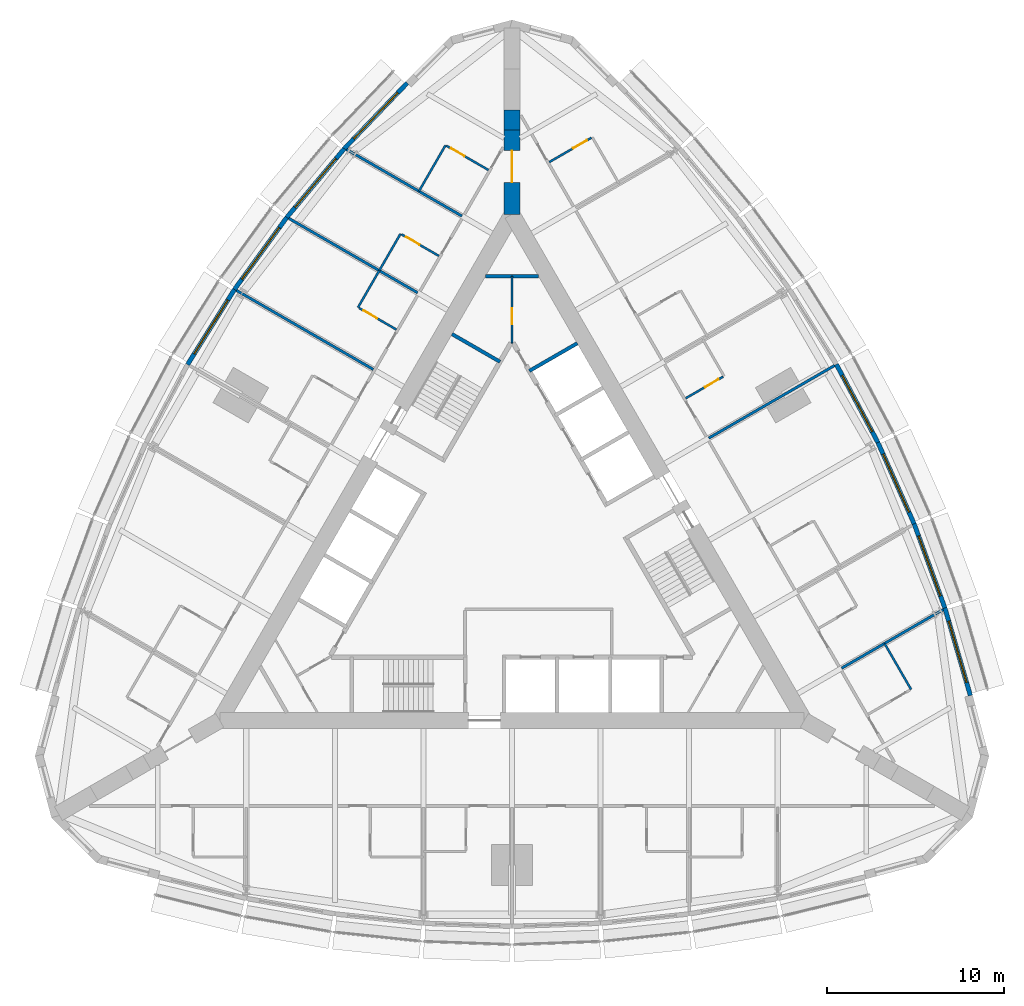
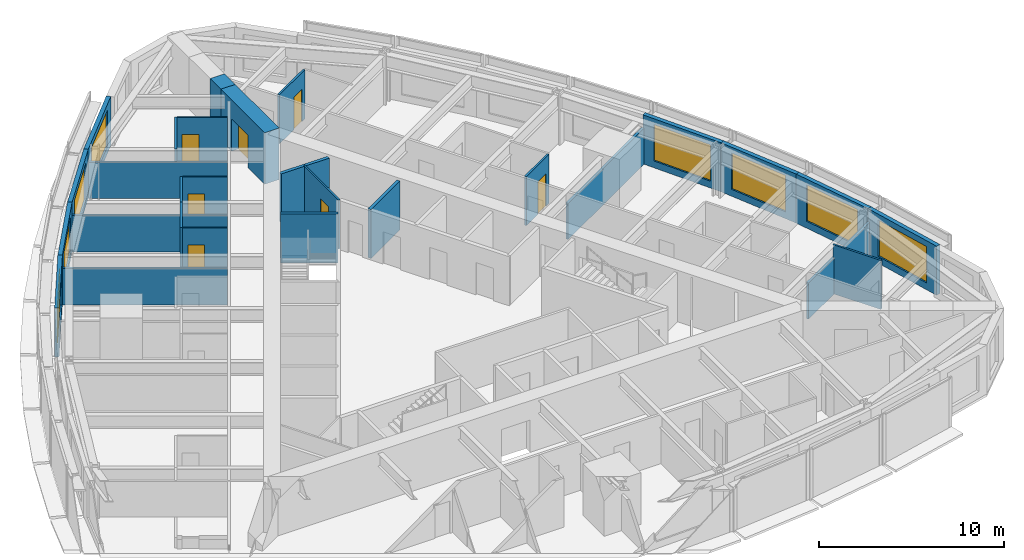
# One storey, part 12 of 14: 28 walls, 8 windows, 7 doors, 15 openings.
"""IFC4 building model written with IfcOpenShell, lengths in metres."""

from ifc_helpers import new_model, si_unit, direction, frame, frame_2d, origin, place, context, subcontext, project, spatial, rectangle, extrude, material, layer, layer_set, type_object, element, fill, save


model = new_model("IFC4")

# Units and contexts
model_context = context("Model", 3, precision=1e-05, world=origin(), true_north=direction((0.0, 1.0)))
body_context = subcontext(model_context, "Body", "Model", "MODEL_VIEW")
ifc_project = project(units=[si_unit("LENGTHUNIT", "METRE"), si_unit("AREAUNIT", "SQUARE_METRE"), si_unit("VOLUMEUNIT", "CUBIC_METRE"), si_unit("PLANEANGLEUNIT", "RADIAN"), si_unit("MASSUNIT", "GRAM", prefix="KILO")], contexts=[model_context])

# Site, building, storey
site_placement = place(None, origin())
site = spatial("IfcSite", under=ifc_project, at=site_placement, CompositionType="ELEMENT")
building_placement = place(site_placement, origin())
building = spatial("IfcBuilding", under=site, at=building_placement, Name="Trikona Tower", CompositionType="ELEMENT")
storey_placement = place(building_placement, frame((0.0, 0.0, 124.89990234375)))
storey = spatial("IfcBuildingStorey", under=building, at=storey_placement, Name="L32", CompositionType="ELEMENT", Elevation=124.89990234375)

# Wall
ifc_material_1 = material(Name="Metal stud and cement board", Category="gypsum")
ifc_layer_1 = layer(ifc_material_1, 0.1201171875)
ifc_layer_set_1 = layer_set([ifc_layer_1], Name="Bathroom wall 120")
wall_type_1 = type_object("IfcWallType", Name="Bathroom wall 120", PredefinedType="PLUMBINGWALL", material=ifc_layer_set_1)
wall_1_placement = place(storey_placement, frame((22.53271484375, -7.775390625, 0.0), z_axis=(0.0, 0.0, 1.0), x_axis=(-0.499990139034, 0.866031096941, 0.0)))
element("IfcWall", 1, at=wall_1_placement, inside=storey, type_object=wall_type_1, Name="Bathroom wall 3206", PredefinedType="PLUMBINGWALL", context=body_context, shape_type="SweptSolid", body=[
    extrude(rectangle(XDim=3.0, YDim=0.1201171875, at=frame_2d((1.5, 0.0))), origin(), (0.0, 0.0, 1.0), 3.235107421875),
])

# Wall, opening, door
wall_2_placement = place(storey_placement, frame((9.807861328125, 8.664794921875, 0.0), z_axis=(0.0, 0.0, 1.0), x_axis=(0.866023955769, 0.500002508028, 0.0)))
wall_2 = element("IfcWall", 2, at=wall_2_placement, inside=storey, type_object=wall_type_1, Name="Bathroom wall 3209", PredefinedType="PLUMBINGWALL", context=body_context, shape_type="SweptSolid", body=[
    extrude(rectangle(XDim=2.43994140625, YDim=0.1201171875, at=frame_2d((1.219970703125, 0.0))), origin(), (0.0, 0.0, 1.0), 3.235107421875),
])
opening_1_placement = place(wall_2_placement, frame((1.25, 0.0, 0.0)))
opening_1 = element("IfcOpeningElement", 3, at=opening_1_placement, cuts=wall_2, Name="Opening D2", PredefinedType="OPENING", context=body_context, shape_type="SweptSolid", body=[
    extrude(rectangle(XDim=0.89990234375, YDim=2.1298828125, at=frame_2d((0.449951171875, 1.06494140625))), frame((0.0, 0.070068359375, 0.0), z_axis=(0.0, -1.0, 0.0), x_axis=(1.0, 0.0, 0.0)), (0.0, 0.0, 1.0), 0.14013671875),
])
ifc_material_2 = material(Name="Steel door frame with solid-core timber leaf", Category="steel")
door_type_1 = type_object("IfcDoorType", Name="Bathroom door 900x2130", OperationType="SLIDING_TO_LEFT", PredefinedType="DOOR", material=ifc_material_2)
door_1_placement = place(opening_1_placement, origin())
door_1 = element("IfcDoor", 4, at=door_1_placement, inside=storey, type_object=door_type_1, Name="Bathroom door 3209", OperationType="SLIDING_TO_LEFT", OverallHeight=2.1298828125, OverallWidth=0.89990234375, PredefinedType="DOOR", context=body_context, shape_type="SweptSolid", body=[
    extrude(rectangle(XDim=0.89990234375, YDim=2.1298828125, at=frame_2d((0.449951171875, 1.06494140625))), frame((0.0, 0.02490234375, 0.0), z_axis=(0.0, -1.0, 0.0), x_axis=(1.0, 0.0, 0.0)), (0.0, 0.0, 1.0), 0.050048828125),
])
fill(opening_1, door_1)

wall_3_placement = place(storey_placement, frame((2.10791015625, 22.001708984375, 0.0), z_axis=(0.0, 0.0, 1.0), x_axis=(0.866035715982, 0.499982138324, 0.0)))
wall_3 = element("IfcWall", 5, at=wall_3_placement, inside=storey, type_object=wall_type_1, Name="Bathroom wall 3211", PredefinedType="PLUMBINGWALL", context=body_context, shape_type="SweptSolid", body=[
    extrude(rectangle(XDim=2.73974609375, YDim=0.1201171875, at=frame_2d((1.369873046875, 0.0))), origin(), (0.0, 0.0, 1.0), 3.235107421875),
])
opening_2_placement = place(wall_3_placement, frame((1.550048828125, 0.0, 0.0)))
opening_2 = element("IfcOpeningElement", 6, at=opening_2_placement, cuts=wall_3, Name="Opening D2", PredefinedType="OPENING", context=body_context, shape_type="SweptSolid", body=[
    extrude(rectangle(XDim=0.89990234375, YDim=2.1298828125, at=frame_2d((0.449951171875, 1.06494140625))), frame((0.0, 0.070068359375, 0.0), z_axis=(0.0, -1.0, 0.0), x_axis=(1.0, 0.0, 0.0)), (0.0, 0.0, 1.0), 0.14013671875),
])
door_2_placement = place(opening_2_placement, origin())
door_2 = element("IfcDoor", 7, at=door_2_placement, inside=storey, type_object=door_type_1, Name="Bathroom door 3211", OperationType="SLIDING_TO_LEFT", OverallHeight=2.1298828125, OverallWidth=0.89990234375, PredefinedType="DOOR", context=body_context, shape_type="SweptSolid", body=[
    extrude(rectangle(XDim=0.89990234375, YDim=2.1298828125, at=frame_2d((0.449951171875, 1.06494140625))), frame((0.0, 0.02490234375, 0.0), z_axis=(0.0, -1.0, 0.0), x_axis=(1.0, 0.0, 0.0)), (0.0, 0.0, 1.0), 0.050048828125),
])
fill(opening_2, door_2)

# Wall
wall_4_placement = place(storey_placement, frame((-3.75341796875, 22.95166015625, 0.0), z_axis=(0.0, 0.0, 1.0), x_axis=(-0.499990139034, -0.866031096941, 0.0)))
element("IfcWall", 8, at=wall_4_placement, inside=storey, type_object=wall_type_1, Name="Bathroom wall 3212", PredefinedType="PLUMBINGWALL", context=body_context, shape_type="SweptSolid", body=[
    extrude(rectangle(XDim=3.0, YDim=0.1201171875, at=frame_2d((1.5, 0.0))), origin(), (0.0, 0.0, 1.0), 3.235107421875),
])

# Wall, opening, door
wall_5_placement = place(storey_placement, frame((-1.32861328125, 21.551513671875, 0.0), z_axis=(0.0, 0.0, 1.0), x_axis=(-0.865997131366, 0.500048966069, 0.0)))
wall_5 = element("IfcWall", 9, at=wall_5_placement, inside=storey, type_object=wall_type_1, Name="Bathroom wall 3212", PredefinedType="PLUMBINGWALL", context=body_context, shape_type="SweptSolid", body=[
    extrude(rectangle(XDim=2.739990234375, YDim=0.1201171875, at=frame_2d((1.3701171875, 0.0))), origin(), (0.0, 0.0, 1.0), 3.235107421875),
])
opening_3_placement = place(wall_5_placement, frame((1.550048828125, 0.0, 0.0)))
opening_3 = element("IfcOpeningElement", 10, at=opening_3_placement, cuts=wall_5, Name="Opening D2", PredefinedType="OPENING", context=body_context, shape_type="SweptSolid", body=[
    extrude(rectangle(XDim=0.89990234375, YDim=2.1298828125, at=frame_2d((0.449951171875, 1.06494140625))), frame((0.0, 0.070068359375, 0.0), z_axis=(0.0, -1.0, 0.0), x_axis=(1.0, 0.0, 0.0)), (0.0, 0.0, 1.0), 0.14013671875),
])
door_3_placement = place(opening_3_placement, origin())
door_3 = element("IfcDoor", 11, at=door_3_placement, inside=storey, type_object=door_type_1, Name="Bathroom door 3212", OperationType="SLIDING_TO_LEFT", OverallHeight=2.1298828125, OverallWidth=0.89990234375, PredefinedType="DOOR", context=body_context, shape_type="SweptSolid", body=[
    extrude(rectangle(XDim=0.89990234375, YDim=2.1298828125, at=frame_2d((0.449951171875, 1.06494140625))), frame((0.0, 0.02490234375, 0.0), z_axis=(0.0, -1.0, 0.0), x_axis=(1.0, 0.0, 0.0)), (0.0, 0.0, 1.0), 0.050048828125),
])
fill(opening_3, door_3)

# Wall
wall_6_placement = place(storey_placement, frame((-6.29345703125, 17.951904296875, 0.0), z_axis=(0.0, 0.0, 1.0), x_axis=(-0.499957262057, -0.866050077142, 0.0)))
element("IfcWall", 12, at=wall_6_placement, inside=storey, type_object=wall_type_1, Name="Bathroom wall 3213", PredefinedType="PLUMBINGWALL", context=body_context, shape_type="SweptSolid", body=[
    extrude(rectangle(XDim=2.400146484375, YDim=0.1201171875, at=frame_2d((1.2001953125, 0.0))), origin(), (0.0, 0.0, 1.0), 3.235107421875),
])

# Wall, opening, door
wall_7_placement = place(storey_placement, frame((-4.12841796875, 16.701904296875, 0.0), z_axis=(0.0, 0.0, 1.0), x_axis=(-0.866048967903, 0.499959183527, 0.0)))
wall_7 = element("IfcWall", 13, at=wall_7_placement, inside=storey, type_object=wall_type_1, Name="Bathroom wall 3213", PredefinedType="PLUMBINGWALL", context=body_context, shape_type="SweptSolid", body=[
    extrude(rectangle(XDim=2.440185546875, YDim=0.1201171875, at=frame_2d((1.22021484375, 0.0))), origin(), (0.0, 0.0, 1.0), 3.235107421875),
])
opening_4_placement = place(wall_7_placement, frame((1.25, 0.0, 0.0)))
opening_4 = element("IfcOpeningElement", 14, at=opening_4_placement, cuts=wall_7, Name="Opening D2", PredefinedType="OPENING", context=body_context, shape_type="SweptSolid", body=[
    extrude(rectangle(XDim=0.89990234375, YDim=2.1298828125, at=frame_2d((0.449951171875, 1.06494140625))), frame((0.0, 0.070068359375, 0.0), z_axis=(0.0, -1.0, 0.0), x_axis=(1.0, 0.0, 0.0)), (0.0, 0.0, 1.0), 0.14013671875),
])
door_4_placement = place(opening_4_placement, origin())
door_4 = element("IfcDoor", 15, at=door_4_placement, inside=storey, type_object=door_type_1, Name="Bathroom door 3213", OperationType="SLIDING_TO_LEFT", OverallHeight=2.1298828125, OverallWidth=0.89990234375, PredefinedType="DOOR", context=body_context, shape_type="SweptSolid", body=[
    extrude(rectangle(XDim=0.89990234375, YDim=2.1298828125, at=frame_2d((0.449951171875, 1.06494140625))), frame((0.0, 0.02490234375, 0.0), z_axis=(0.0, -1.0, 0.0), x_axis=(1.0, 0.0, 0.0)), (0.0, 0.0, 1.0), 0.050048828125),
])
fill(opening_4, door_4)

# Wall
wall_8_placement = place(storey_placement, frame((-7.493408203125, 15.873291015625, 0.0), z_axis=(0.0, 0.0, 1.0), x_axis=(-0.500077600433, -0.865980596518, 0.0)))
element("IfcWall", 16, at=wall_8_placement, inside=storey, type_object=wall_type_1, Name="Bathroom wall 3214", PredefinedType="PLUMBINGWALL", context=body_context, shape_type="SweptSolid", body=[
    extrude(rectangle(XDim=2.39990234375, YDim=0.1201171875, at=frame_2d((1.199951171875, 0.0))), origin(), (0.0, 0.0, 1.0), 3.235107421875),
])

# Wall, opening, door
wall_9_placement = place(storey_placement, frame((-6.528564453125, 12.544921875, 0.0), z_axis=(0.0, 0.0, 1.0), x_axis=(-0.866023955769, 0.500002508028, 0.0)))
wall_9 = element("IfcWall", 17, at=wall_9_placement, inside=storey, type_object=wall_type_1, Name="Bathroom wall 3214", PredefinedType="PLUMBINGWALL", context=body_context, shape_type="SweptSolid", body=[
    extrude(rectangle(XDim=2.43994140625, YDim=0.1201171875, at=frame_2d((1.219970703125, 0.0))), origin(), (0.0, 0.0, 1.0), 3.235107421875),
])
opening_5_placement = place(wall_9_placement, frame((1.25, 0.0, 0.0)))
opening_5 = element("IfcOpeningElement", 18, at=opening_5_placement, cuts=wall_9, Name="Opening D2", PredefinedType="OPENING", context=body_context, shape_type="SweptSolid", body=[
    extrude(rectangle(XDim=0.89990234375, YDim=2.1298828125, at=frame_2d((0.449951171875, 1.06494140625))), frame((0.0, 0.070068359375, 0.0), z_axis=(0.0, -1.0, 0.0), x_axis=(1.0, 0.0, 0.0)), (0.0, 0.0, 1.0), 0.14013671875),
])
door_5_placement = place(opening_5_placement, origin())
door_5 = element("IfcDoor", 19, at=door_5_placement, inside=storey, type_object=door_type_1, Name="Bathroom door 3214", OperationType="SLIDING_TO_LEFT", OverallHeight=2.1298828125, OverallWidth=0.89990234375, PredefinedType="DOOR", context=body_context, shape_type="SweptSolid", body=[
    extrude(rectangle(XDim=0.89990234375, YDim=2.1298828125, at=frame_2d((0.449951171875, 1.06494140625))), frame((0.0, 0.02490234375, 0.0), z_axis=(0.0, -1.0, 0.0), x_axis=(1.0, 0.0, 0.0)), (0.0, 0.0, 1.0), 0.050048828125),
])
fill(opening_5, door_5)

ifc_material_3 = material(Name="Concrete f'c 10000 psi", Category="concrete")
ifc_layer_2 = layer(ifc_material_3, 0.89990234375)
ifc_layer_set_2 = layer_set([ifc_layer_2], Name="Buttress wall 900")
wall_type_2 = type_object("IfcWallType", Name="Buttress wall 900", PredefinedType="SHEAR", material=ifc_layer_set_2)
wall_10_placement = place(storey_placement, frame((0.0, 19.052490234375, 0.0), z_axis=(0.0, 0.0, 1.0), x_axis=(0.0, 1.0, 0.0)))
wall_10 = element("IfcWall", 20, at=wall_10_placement, inside=storey, type_object=wall_type_2, Name="Buttress wall 2", PredefinedType="SHEAR", context=body_context, shape_type="SweptSolid", body=[
    extrude(rectangle(XDim=4.74609375, YDim=0.89990234375, at=frame_2d((2.373046875, 0.0))), origin(), (0.0, 0.0, 1.0), 3.400146484375),
])
opening_6_placement = place(wall_10_placement, frame((1.800048828125, 0.0, 0.0)))
opening_6 = element("IfcOpeningElement", 21, at=opening_6_placement, cuts=wall_10, Name="Opening D10", PredefinedType="OPENING", context=body_context, shape_type="SweptSolid", body=[
    extrude(rectangle(XDim=1.800048828125, YDim=2.1298828125, at=frame_2d((0.89990234375, 1.06494140625))), frame((0.0, 0.4599609375, 0.0), z_axis=(0.0, -1.0, 0.0), x_axis=(1.0, 0.0, 0.0)), (0.0, 0.0, 1.0), 0.919921875),
])
ifc_material_4 = material(Name="Hollow metal door and frame", Category="steel")
door_type_2 = type_object("IfcDoorType", Name="Cross-corridor door pair 1800x2130", OperationType="DOUBLE_DOOR_DOUBLE_SWING", PredefinedType="DOOR", material=ifc_material_4)
door_6_placement = place(opening_6_placement, origin())
door_6 = element("IfcDoor", 22, at=door_6_placement, inside=storey, type_object=door_type_2, Name="Cross-corridor door 2", OperationType="DOUBLE_DOOR_DOUBLE_SWING", OverallHeight=2.1298828125, OverallWidth=1.800048828125, PredefinedType="DOOR", context=body_context, shape_type="SweptSolid", body=[
    extrude(rectangle(XDim=1.800048828125, YDim=2.1298828125, at=frame_2d((0.89990234375, 1.06494140625))), frame((0.0, 0.02490234375, 0.0), z_axis=(0.0, -1.0, 0.0), x_axis=(1.0, 0.0, 0.0)), (0.0, 0.0, 1.0), 0.050048828125),
])
fill(opening_6, door_6)

# Wall
wall_11_placement = place(storey_placement, frame((0.0, 23.798583984375, 0.0), z_axis=(0.0, 0.0, 1.0), x_axis=(0.0, 1.0, 0.0)))
element("IfcWall", 23, at=wall_11_placement, inside=storey, type_object=wall_type_2, Name="Buttress wall 2 part 2", PredefinedType="SHEAR", context=body_context, shape_type="SweptSolid", body=[
    extrude(rectangle(XDim=1.15478515625, YDim=0.89990234375, at=frame_2d((0.577392578125, 0.0))), origin(), (0.0, 0.0, 1.0), 3.400146484375),
])

# Wall, opening, window
ifc_material_5 = material(Name="Insulated precast concrete spandrel panel", Category="concrete")
ifc_layer_3 = layer(ifc_material_5, 0.25)
ifc_layer_set_3 = layer_set([ifc_layer_3], Name="Inner skin wall 250")
wall_type_3 = type_object("IfcWallType", Name="Inner skin wall 250", PredefinedType="STANDARD", material=ifc_layer_set_3)
wall_12_placement = place(storey_placement, frame((25.8798828125, -8.117919921875, 0.0), z_axis=(0.0, 0.0, 1.0), x_axis=(-0.279528287117, 0.960137457191, 0.0)))
wall_12 = element("IfcWall", 24, at=wall_12_placement, inside=storey, type_object=wall_type_3, Name="External wall L32-12", PredefinedType="STANDARD", context=body_context, shape_type="SweptSolid", body=[
    extrude(rectangle(XDim=5.14794921875, YDim=0.25, at=frame_2d((2.573974609375, 0.0))), origin(), (0.0, 0.0, 1.0), 3.235107421875),
])
opening_7_placement = place(wall_12_placement, frame((0.77392578125, 0.0, 0.449951171875)))
opening_7 = element("IfcOpeningElement", 25, at=opening_7_placement, cuts=wall_12, Name="Opening W3624", PredefinedType="OPENING", context=body_context, shape_type="SweptSolid", body=[
    extrude(rectangle(XDim=3.60009765625, YDim=2.39990234375, at=frame_2d((1.800048828125, 1.199951171875))), frame((0.0, 0.135009765625, 0.0), z_axis=(0.0, -1.0, 0.0), x_axis=(1.0, 0.0, 0.0)), (0.0, 0.0, 1.0), 0.27001953125),
])
ifc_material_6 = material(Name="Aluminium-framed double glazing", Category="aluminium")
window_type = type_object("IfcWindowType", Name="Window 3600x2400", PartitioningType="SINGLE_PANEL", PredefinedType="WINDOW", material=ifc_material_6)
window_1_placement = place(opening_7_placement, origin())
window_1 = element("IfcWindow", 26, at=window_1_placement, inside=storey, type_object=window_type, Name="Window 3206", OverallHeight=2.39990234375, OverallWidth=3.60009765625, PartitioningType="SINGLE_PANEL", PredefinedType="WINDOW", context=body_context, shape_type="SweptSolid", body=[
    extrude(rectangle(XDim=3.60009765625, YDim=2.39990234375, at=frame_2d((1.800048828125, 1.199951171875))), frame((0.0, 0.030029296875, 0.0), z_axis=(0.0, -1.0, 0.0), x_axis=(1.0, 0.0, 0.0)), (0.0, 0.0, 1.0), 0.06005859375),
])
fill(opening_7, window_1)

wall_13_placement = place(storey_placement, frame((24.443603515625, -3.18310546875, 0.0), z_axis=(0.0, 0.0, 1.0), x_axis=(-0.343225593282, 0.939252996863, 0.0)))
wall_13 = element("IfcWall", 27, at=wall_13_placement, inside=storey, type_object=wall_type_3, Name="External wall L32-13", PredefinedType="STANDARD", context=body_context, shape_type="SweptSolid", body=[
    extrude(rectangle(XDim=5.075927734375, YDim=0.25, at=frame_2d((2.5380859375, 0.0))), origin(), (0.0, 0.0, 1.0), 3.235107421875),
])
opening_8_placement = place(wall_13_placement, frame((0.738037109375, 0.0, 0.449951171875)))
opening_8 = element("IfcOpeningElement", 28, at=opening_8_placement, cuts=wall_13, Name="Opening W3624", PredefinedType="OPENING", context=body_context, shape_type="SweptSolid", body=[
    extrude(rectangle(XDim=3.60009765625, YDim=2.39990234375, at=frame_2d((1.800048828125, 1.199951171875))), frame((0.0, 0.135009765625, 0.0), z_axis=(0.0, -1.0, 0.0), x_axis=(1.0, 0.0, 0.0)), (0.0, 0.0, 1.0), 0.27001953125),
])
window_2_placement = place(opening_8_placement, origin())
window_2 = element("IfcWindow", 29, at=window_2_placement, inside=storey, type_object=window_type, Name="Window 3207", OverallHeight=2.39990234375, OverallWidth=3.60009765625, PartitioningType="SINGLE_PANEL", PredefinedType="WINDOW", context=body_context, shape_type="SweptSolid", body=[
    extrude(rectangle(XDim=3.60009765625, YDim=2.39990234375, at=frame_2d((1.800048828125, 1.199951171875))), frame((0.0, 0.030029296875, 0.0), z_axis=(0.0, -1.0, 0.0), x_axis=(1.0, 0.0, 0.0)), (0.0, 0.0, 1.0), 0.06005859375),
])
fill(opening_8, window_2)

wall_14_placement = place(storey_placement, frame((22.70458984375, 1.576416015625, 0.0), z_axis=(0.0, 0.0, 1.0), x_axis=(-0.406832200364, 0.913502906808, 0.0)))
wall_14 = element("IfcWall", 30, at=wall_14_placement, inside=storey, type_object=wall_type_3, Name="External wall L32-14", PredefinedType="STANDARD", context=body_context, shape_type="SweptSolid", body=[
    extrude(rectangle(XDim=5.027587890625, YDim=0.25, at=frame_2d((2.513671875, 0.0))), origin(), (0.0, 0.0, 1.0), 3.235107421875),
])
opening_9_placement = place(wall_14_placement, frame((0.713623046875, 0.0, 0.449951171875)))
opening_9 = element("IfcOpeningElement", 31, at=opening_9_placement, cuts=wall_14, Name="Opening W3624", PredefinedType="OPENING", context=body_context, shape_type="SweptSolid", body=[
    extrude(rectangle(XDim=3.60009765625, YDim=2.39990234375, at=frame_2d((1.800048828125, 1.199951171875))), frame((0.0, 0.135009765625, 0.0), z_axis=(0.0, -1.0, 0.0), x_axis=(1.0, 0.0, 0.0)), (0.0, 0.0, 1.0), 0.27001953125),
])
window_3_placement = place(opening_9_placement, origin())
window_3 = element("IfcWindow", 32, at=window_3_placement, inside=storey, type_object=window_type, Name="Window 3208", OverallHeight=2.39990234375, OverallWidth=3.60009765625, PartitioningType="SINGLE_PANEL", PredefinedType="WINDOW", context=body_context, shape_type="SweptSolid", body=[
    extrude(rectangle(XDim=3.60009765625, YDim=2.39990234375, at=frame_2d((1.800048828125, 1.199951171875))), frame((0.0, 0.030029296875, 0.0), z_axis=(0.0, -1.0, 0.0), x_axis=(1.0, 0.0, 0.0)), (0.0, 0.0, 1.0), 0.06005859375),
])
fill(opening_9, window_3)

wall_15_placement = place(storey_placement, frame((20.662841796875, 6.161376953125, 0.0), z_axis=(0.0, 0.0, 1.0), x_axis=(-0.469404966864, 0.882982999317, 0.0)))
wall_15 = element("IfcWall", 33, at=wall_15_placement, inside=storey, type_object=wall_type_3, Name="External wall L32-15", PredefinedType="STANDARD", context=body_context, shape_type="SweptSolid", body=[
    extrude(rectangle(XDim=5.0029296875, YDim=0.25, at=frame_2d((2.50146484375, 0.0))), origin(), (0.0, 0.0, 1.0), 3.235107421875),
])
opening_10_placement = place(wall_15_placement, frame((0.701416015625, 0.0, 0.449951171875)))
opening_10 = element("IfcOpeningElement", 34, at=opening_10_placement, cuts=wall_15, Name="Opening W3624", PredefinedType="OPENING", context=body_context, shape_type="SweptSolid", body=[
    extrude(rectangle(XDim=3.60009765625, YDim=2.39990234375, at=frame_2d((1.800048828125, 1.199951171875))), frame((0.0, 0.135009765625, 0.0), z_axis=(0.0, -1.0, 0.0), x_axis=(1.0, 0.0, 0.0)), (0.0, 0.0, 1.0), 0.27001953125),
])
window_4_placement = place(opening_10_placement, origin())
window_4 = element("IfcWindow", 35, at=window_4_placement, inside=storey, type_object=window_type, Name="Window 3208", OverallHeight=2.39990234375, OverallWidth=3.60009765625, PartitioningType="SINGLE_PANEL", PredefinedType="WINDOW", context=body_context, shape_type="SweptSolid", body=[
    extrude(rectangle(XDim=3.60009765625, YDim=2.39990234375, at=frame_2d((1.800048828125, 1.199951171875))), frame((0.0, 0.030029296875, 0.0), z_axis=(0.0, -1.0, 0.0), x_axis=(1.0, 0.0, 0.0)), (0.0, 0.0, 1.0), 0.06005859375),
])
fill(opening_10, window_4)

wall_16_placement = place(storey_placement, frame((-5.90966796875, 26.4716796875, 0.0), z_axis=(0.0, 0.0, 1.0), x_axis=(-0.691719937936, -0.722165858693, 0.0)))
wall_16 = element("IfcWall", 36, at=wall_16_placement, inside=storey, type_object=wall_type_3, Name="External wall L32-24", PredefinedType="STANDARD", context=body_context, shape_type="SweptSolid", body=[
    extrude(rectangle(XDim=5.148193359375, YDim=0.25, at=frame_2d((2.57421875, 0.0))), origin(), (0.0, 0.0, 1.0), 3.235107421875),
])
opening_11_placement = place(wall_16_placement, frame((0.77392578125, 0.0, 0.449951171875)))
opening_11 = element("IfcOpeningElement", 37, at=opening_11_placement, cuts=wall_16, Name="Opening W3624", PredefinedType="OPENING", context=body_context, shape_type="SweptSolid", body=[
    extrude(rectangle(XDim=3.60009765625, YDim=2.39990234375, at=frame_2d((1.800048828125, 1.199951171875))), frame((0.0, 0.135009765625, 0.0), z_axis=(0.0, -1.0, 0.0), x_axis=(1.0, 0.0, 0.0)), (0.0, 0.0, 1.0), 0.27001953125),
])
window_5_placement = place(opening_11_placement, origin())
window_5 = element("IfcWindow", 38, at=window_5_placement, inside=storey, type_object=window_type, Name="Window 3212", OverallHeight=2.39990234375, OverallWidth=3.60009765625, PartitioningType="SINGLE_PANEL", PredefinedType="WINDOW", context=body_context, shape_type="SweptSolid", body=[
    extrude(rectangle(XDim=3.60009765625, YDim=2.39990234375, at=frame_2d((1.800048828125, 1.199951171875))), frame((0.0, 0.030029296875, 0.0), z_axis=(0.0, -1.0, 0.0), x_axis=(1.0, 0.0, 0.0)), (0.0, 0.0, 1.0), 0.06005859375),
])
fill(opening_11, window_5)

wall_17_placement = place(storey_placement, frame((-9.465087890625, 22.76025390625, 0.0), z_axis=(0.0, 0.0, 1.0), x_axis=(-0.641810386606, -0.766863369607, 0.0)))
wall_17 = element("IfcWall", 39, at=wall_17_placement, inside=storey, type_object=wall_type_3, Name="External wall L32-25", PredefinedType="STANDARD", context=body_context, shape_type="SweptSolid", body=[
    extrude(rectangle(XDim=5.075927734375, YDim=0.25, at=frame_2d((2.5380859375, 0.0))), origin(), (0.0, 0.0, 1.0), 3.235107421875),
])
opening_12_placement = place(wall_17_placement, frame((0.738037109375, 0.0, 0.449951171875)))
opening_12 = element("IfcOpeningElement", 40, at=opening_12_placement, cuts=wall_17, Name="Opening W3624", PredefinedType="OPENING", context=body_context, shape_type="SweptSolid", body=[
    extrude(rectangle(XDim=3.60009765625, YDim=2.39990234375, at=frame_2d((1.800048828125, 1.199951171875))), frame((0.0, 0.135009765625, 0.0), z_axis=(0.0, -1.0, 0.0), x_axis=(1.0, 0.0, 0.0)), (0.0, 0.0, 1.0), 0.27001953125),
])
window_6_placement = place(opening_12_placement, origin())
window_6 = element("IfcWindow", 41, at=window_6_placement, inside=storey, type_object=window_type, Name="Window 3213", OverallHeight=2.39990234375, OverallWidth=3.60009765625, PartitioningType="SINGLE_PANEL", PredefinedType="WINDOW", context=body_context, shape_type="SweptSolid", body=[
    extrude(rectangle(XDim=3.60009765625, YDim=2.39990234375, at=frame_2d((1.800048828125, 1.199951171875))), frame((0.0, 0.030029296875, 0.0), z_axis=(0.0, -1.0, 0.0), x_axis=(1.0, 0.0, 0.0)), (0.0, 0.0, 1.0), 0.06005859375),
])
fill(opening_12, window_6)

wall_18_placement = place(storey_placement, frame((-12.717529296875, 18.87451171875, 0.0), z_axis=(0.0, 0.0, 1.0), x_axis=(-0.587669188412, -0.809101307001, 0.0)))
wall_18 = element("IfcWall", 42, at=wall_18_placement, inside=storey, type_object=wall_type_3, Name="External wall L32-26", PredefinedType="STANDARD", context=body_context, shape_type="SweptSolid", body=[
    extrude(rectangle(XDim=5.027587890625, YDim=0.25, at=frame_2d((2.513671875, 0.0))), origin(), (0.0, 0.0, 1.0), 3.235107421875),
])
opening_13_placement = place(wall_18_placement, frame((0.7138671875, 0.0, 0.449951171875)))
opening_13 = element("IfcOpeningElement", 43, at=opening_13_placement, cuts=wall_18, Name="Opening W3624", PredefinedType="OPENING", context=body_context, shape_type="SweptSolid", body=[
    extrude(rectangle(XDim=3.60009765625, YDim=2.39990234375, at=frame_2d((1.800048828125, 1.199951171875))), frame((0.0, 0.135009765625, 0.0), z_axis=(0.0, -1.0, 0.0), x_axis=(1.0, 0.0, 0.0)), (0.0, 0.0, 1.0), 0.27001953125),
])
window_7_placement = place(opening_13_placement, origin())
window_7 = element("IfcWindow", 44, at=window_7_placement, inside=storey, type_object=window_type, Name="Window 3214", OverallHeight=2.39990234375, OverallWidth=3.60009765625, PartitioningType="SINGLE_PANEL", PredefinedType="WINDOW", context=body_context, shape_type="SweptSolid", body=[
    extrude(rectangle(XDim=3.60009765625, YDim=2.39990234375, at=frame_2d((1.800048828125, 1.199951171875))), frame((0.0, 0.030029296875, 0.0), z_axis=(0.0, -1.0, 0.0), x_axis=(1.0, 0.0, 0.0)), (0.0, 0.0, 1.0), 0.06005859375),
])
fill(opening_13, window_7)

wall_19_placement = place(storey_placement, frame((-15.667236328125, 14.81396484375, 0.0), z_axis=(0.0, 0.0, 1.0), x_axis=(-0.529990167382, -0.84800378683, 0.0)))
wall_19 = element("IfcWall", 45, at=wall_19_placement, inside=storey, type_object=wall_type_3, Name="External wall L32-27", PredefinedType="STANDARD", context=body_context, shape_type="SweptSolid", body=[
    extrude(rectangle(XDim=5.003173828125, YDim=0.25, at=frame_2d((2.50146484375, 0.0))), origin(), (0.0, 0.0, 1.0), 3.235107421875),
])
opening_14_placement = place(wall_19_placement, frame((0.701416015625, 0.0, 0.449951171875)))
opening_14 = element("IfcOpeningElement", 46, at=opening_14_placement, cuts=wall_19, Name="Opening W3624", PredefinedType="OPENING", context=body_context, shape_type="SweptSolid", body=[
    extrude(rectangle(XDim=3.60009765625, YDim=2.39990234375, at=frame_2d((1.800048828125, 1.199951171875))), frame((0.0, 0.135009765625, 0.0), z_axis=(0.0, -1.0, 0.0), x_axis=(1.0, 0.0, 0.0)), (0.0, 0.0, 1.0), 0.27001953125),
])
window_8_placement = place(opening_14_placement, origin())
window_8 = element("IfcWindow", 47, at=window_8_placement, inside=storey, type_object=window_type, Name="Window 3215", OverallHeight=2.39990234375, OverallWidth=3.60009765625, PartitioningType="SINGLE_PANEL", PredefinedType="WINDOW", context=body_context, shape_type="SweptSolid", body=[
    extrude(rectangle(XDim=3.60009765625, YDim=2.39990234375, at=frame_2d((1.800048828125, 1.199951171875))), frame((0.0, 0.030029296875, 0.0), z_axis=(0.0, -1.0, 0.0), x_axis=(1.0, 0.0, 0.0)), (0.0, 0.0, 1.0), 0.06005859375),
])
fill(opening_14, window_8)

# Walls
ifc_material_7 = material(Name="Metal stud and gypsum board, 1-hour acoustic", Category="gypsum")
ifc_layer_4 = layer(ifc_material_7, 0.14990234375)
ifc_layer_set_4 = layer_set([ifc_layer_4], Name="Party wall 150")
wall_type_4 = type_object("IfcWallType", Name="Party wall 150", PredefinedType="PARTITIONING", material=ifc_layer_set_4)
wall_20_placement = place(storey_placement, frame((18.60791015625, -6.5771484375, 0.0), z_axis=(0.0, 0.0, 1.0), x_axis=(0.866031967744, 0.499988630717, 0.0)))
element("IfcWall", 48, at=wall_20_placement, inside=storey, type_object=wall_type_4, Name="Partition L32 F2 u-15", PredefinedType="PARTITIONING", context=body_context, shape_type="SweptSolid", body=[
    extrude(rectangle(XDim=6.616455078125, YDim=0.14990234375, at=frame_2d((3.30810546875, 0.0))), origin(), (0.0, 0.0, 1.0), 2.389404296875),
])
wall_21_placement = place(storey_placement, frame((11.10791015625, 6.4130859375, 0.0), z_axis=(0.0, 0.0, 1.0), x_axis=(0.866026407964, 0.499998260706, 0.0)))
element("IfcWall", 49, at=wall_21_placement, inside=storey, type_object=wall_type_4, Name="Partition L32 F2 u-4.44089e-15", PredefinedType="PARTITIONING", context=body_context, shape_type="SweptSolid", body=[
    extrude(rectangle(XDim=8.19873046875, YDim=0.14990234375, at=frame_2d((4.099365234375, 0.0))), origin(), (0.0, 0.0, 1.0), 2.389404296875),
])
wall_22_placement = place(storey_placement, frame((-2.82861328125, 18.95361328125, 0.0), z_axis=(0.0, 0.0, 1.0), x_axis=(-0.866015739374, 0.500016738876, 0.0)))
element("IfcWall", 50, at=wall_22_placement, inside=storey, type_object=wall_type_4, Name="Partition L32 F3 u-15", PredefinedType="PARTITIONING", context=body_context, shape_type="SweptSolid", body=[
    extrude(rectangle(XDim=7.516357421875, YDim=0.14990234375, at=frame_2d((3.75830078125, 0.0))), origin(), (0.0, 0.0, 1.0), 2.389404296875),
])
wall_23_placement = place(storey_placement, frame((-5.32861328125, 14.623291015625, 0.0), z_axis=(0.0, 0.0, 1.0), x_axis=(-0.866011723728, 0.500023693804, 0.0)))
element("IfcWall", 51, at=wall_23_placement, inside=storey, type_object=wall_type_4, Name="Partition L32 F3 u-10", PredefinedType="PARTITIONING", context=body_context, shape_type="SweptSolid", body=[
    extrude(rectangle(XDim=8.39501953125, YDim=0.14990234375, at=frame_2d((4.197509765625, 0.0))), origin(), (0.0, 0.0, 1.0), 2.389404296875),
])
wall_24_placement = place(storey_placement, frame((-7.82861328125, 10.293212890625, 0.0), z_axis=(0.0, 0.0, 1.0), x_axis=(-0.866027015393, 0.499997208602, 0.0)))
element("IfcWall", 52, at=wall_24_placement, inside=storey, type_object=wall_type_4, Name="Partition L32 F3 u-5", PredefinedType="PARTITIONING", context=body_context, shape_type="SweptSolid", body=[
    extrude(rectangle(XDim=8.92236328125, YDim=0.14990234375, at=frame_2d((4.461181640625, 0.0))), origin(), (0.0, 0.0, 1.0), 2.389404296875),
])
ifc_material_8 = material(Name="Concrete f'c 8000 psi", Category="concrete")
ifc_layer_5 = layer(ifc_material_8, 0.199951171875)
ifc_layer_set_5 = layer_set([ifc_layer_5], Name="Shaft wall 200")
wall_type_5 = type_object("IfcWallType", Name="Shaft wall 200", PredefinedType="SOLIDWALL", material=ifc_layer_set_5)
wall_25_placement = place(storey_placement, frame((0.97900390625, 10.20703125, 0.0), z_axis=(0.0, 0.0, 1.0), x_axis=(0.866022959057, 0.500004234368, 0.0)))
element("IfcWall", 53, at=wall_25_placement, inside=storey, type_object=wall_type_5, Name="Shaft wall B6", PredefinedType="SOLIDWALL", context=body_context, shape_type="SweptSolid", body=[
    extrude(rectangle(XDim=3.125, YDim=0.199951171875, at=frame_2d((1.5625, 0.0))), origin(), (0.0, 0.0, 1.0), 3.235107421875),
])
wall_26_placement = place(storey_placement, frame((-1.501220703125, 15.552490234375, 0.0), z_axis=(0.0, 0.0, 1.0), x_axis=(1.0, 0.0, 0.0)))
element("IfcWall", 54, at=wall_26_placement, inside=storey, type_object=wall_type_5, Name="Riser wall L32-RS2", PredefinedType="SOLIDWALL", context=body_context, shape_type="SweptSolid", body=[
    extrude(rectangle(XDim=3.00244140625, YDim=0.199951171875, at=frame_2d((1.501220703125, 0.0))), origin(), (0.0, 0.0, 1.0), 3.235107421875),
])
ifc_material_9 = material(Name="Concrete f'c 8000 psi", Category="concrete")
ifc_layer_6 = layer(ifc_material_9, 0.199951171875)
ifc_layer_set_6 = layer_set([ifc_layer_6], Name="Shaft wall 200 load-bearing")
wall_type_6 = type_object("IfcWallType", Name="Shaft wall 200 load-bearing", PredefinedType="SOLIDWALL", material=ifc_layer_set_6)
wall_27_placement = place(storey_placement, frame((-0.678955078125, 10.7265625, 0.0), z_axis=(0.0, 0.0, 1.0), x_axis=(-0.866022959057, 0.500004234368, 0.0)))
element("IfcWall", 55, at=wall_27_placement, inside=storey, type_object=wall_type_6, Name="Shaft wall C1", PredefinedType="SOLIDWALL", context=body_context, shape_type="SweptSolid", body=[
    extrude(rectangle(XDim=3.125, YDim=0.199951171875, at=frame_2d((1.5625, 0.0))), origin(), (0.0, 0.0, 1.0), 3.235107421875),
])

# Wall, opening, door
ifc_material_10 = material(Name="Metal stud and gypsum board, acoustic", Category="gypsum")
ifc_layer_7 = layer(ifc_material_10, 0.10009765625)
ifc_layer_set_7 = layer_set([ifc_layer_7], Name="Suite partition 100")
wall_type_7 = type_object("IfcWallType", Name="Suite partition 100", PredefinedType="PARTITIONING", material=ifc_layer_set_7)
wall_28_placement = place(storey_placement, frame((0.0, 15.552490234375, 0.0), z_axis=(0.0, 0.0, 1.0), x_axis=(0.0, -1.0, 0.0)))
wall_28 = element("IfcWall", 56, at=wall_28_placement, inside=storey, type_object=wall_type_7, Name="Store partition L32-RS2", PredefinedType="PARTITIONING", context=body_context, shape_type="SweptSolid", body=[
    extrude(rectangle(XDim=3.775146484375, YDim=0.10009765625, at=frame_2d((1.8876953125, 0.0))), origin(), (0.0, 0.0, 1.0), 3.235107421875),
])
opening_15_placement = place(wall_28_placement, frame((1.815185546875, 0.0, 0.0)))
opening_15 = element("IfcOpeningElement", 57, at=opening_15_placement, cuts=wall_28, Name="Opening D15", PredefinedType="OPENING", context=body_context, shape_type="SweptSolid", body=[
    extrude(rectangle(XDim=0.89990234375, YDim=2.1298828125, at=frame_2d((0.449951171875, 1.06494140625))), frame((0.0, 0.06005859375, 0.0), z_axis=(0.0, -1.0, 0.0), x_axis=(1.0, 0.0, 0.0)), (0.0, 0.0, 1.0), 0.1201171875),
])
ifc_material_11 = material(Name="Steel door frame with solid-core timber leaf", Category="steel")
door_type_3 = type_object("IfcDoorType", Name="Store door 900x2130", OperationType="SINGLE_SWING_LEFT", PredefinedType="DOOR", material=ifc_material_11)
door_7_placement = place(opening_15_placement, origin())
door_7 = element("IfcDoor", 58, at=door_7_placement, inside=storey, type_object=door_type_3, Name="Door Luggage store LUG", OperationType="SINGLE_SWING_RIGHT", OverallHeight=2.1298828125, OverallWidth=0.89990234375, PredefinedType="DOOR", context=body_context, shape_type="SweptSolid", body=[
    extrude(rectangle(XDim=0.89990234375, YDim=2.1298828125, at=frame_2d((0.449951171875, 1.06494140625))), frame((0.0, 0.02490234375, 0.0), z_axis=(0.0, -1.0, 0.0), x_axis=(1.0, 0.0, 0.0)), (0.0, 0.0, 1.0), 0.050048828125),
])
fill(opening_15, door_7)

save(model, "model.ifc")
